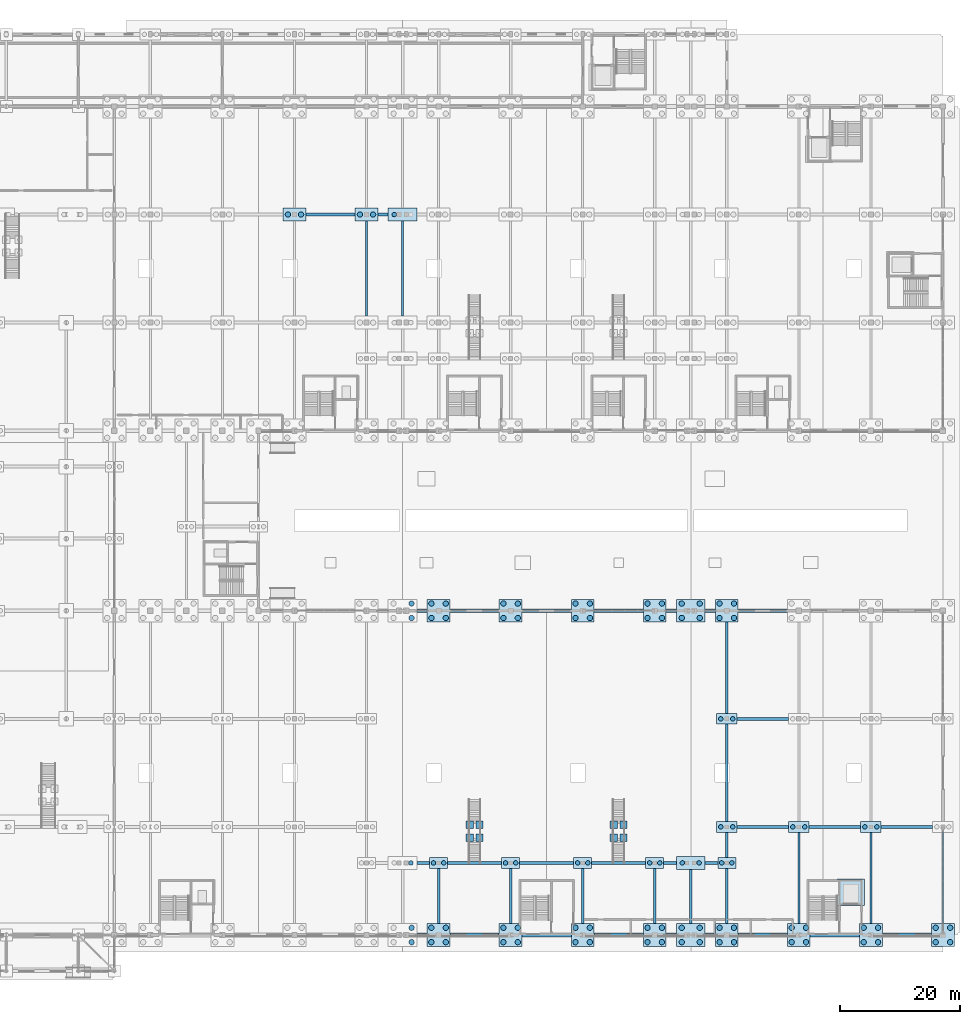
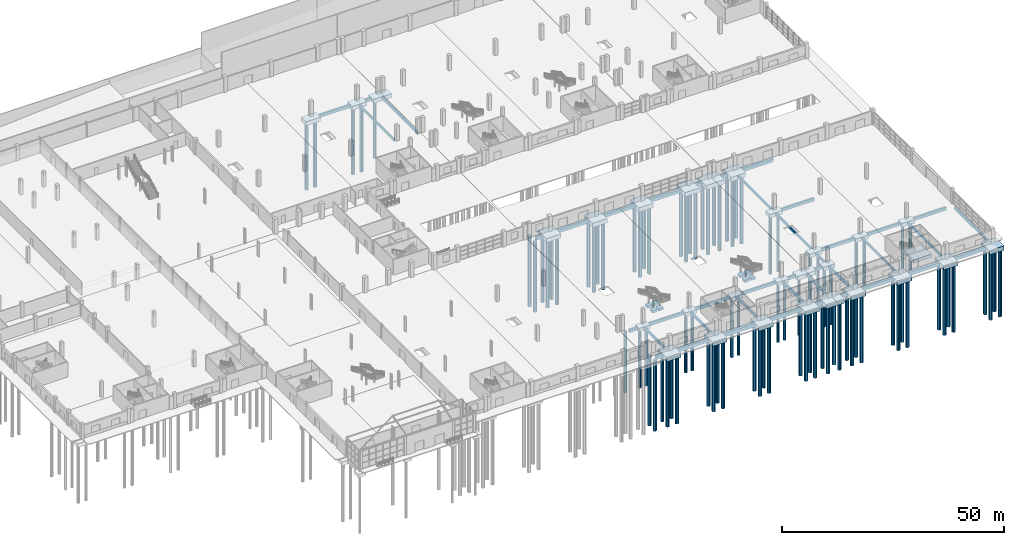
# One storey, part 5 of 77: 90 piles, 79 footings.
"""IFC4 building model written with IfcOpenShell, lengths in metres."""

import ifcopenshell
import ifcopenshell.guid

model = None  # the IFC model being written
_history = None  # IfcOwnerHistory: only IFC2X3 demands one
_inside = {}  # id of a spatial element -> (the spatial element, [elements in it])
_under = {}  # id of a project, library or spatial element -> (it, [spatial elements below it])
_declared = {}  # id of a project -> (the project, [libraries it declares])
_typed = {}  # id of a type object -> (the type object, [elements of that type])
_made_of = {}  # id of a material, layer set ... -> (it, [elements and type objects made of it])


def new_model(schema):
    """Start an empty IFC model of exactly this schema.

    Asked for "IFC4X3", IfcOpenShell would pick the latest addendum, in which some entities
    have other attributes; the version numbers below select the first issue.
    IFC2X3 requires an IfcOwnerHistory on every rooted entity: one is made here for all.
    """
    global model, _history
    if schema == "IFC4X3":
        model = ifcopenshell.file(schema_version=(4, 3, 0, 0))
    else:
        model = ifcopenshell.file(schema=schema)
    _inside.clear()
    _under.clear()
    _declared.clear()
    _typed.clear()
    _made_of.clear()
    _history = None
    if model.schema == "IFC2X3":
        org = make("IfcOrganization", Name="unknown")
        user = make(
            "IfcPersonAndOrganization",
            ThePerson=make("IfcPerson", FamilyName="unknown"),
            TheOrganization=org,
        )
        app = make(
            "IfcApplication",
            ApplicationDeveloper=org,
            Version="unknown",
            ApplicationFullName="unknown",
            ApplicationIdentifier="unknown",
        )
        _history = make(
            "IfcOwnerHistory",
            OwningUser=user,
            OwningApplication=app,
            ChangeAction="ADDED",
            CreationDate=0,
        )
    return model


def make(cls, **values):
    """One entity of the class cls with the attributes given. An attribute that is None is left unset."""
    return model.create_entity(
        cls, **{name: value for name, value in values.items() if value is not None}
    )


def rooted(cls, **values):
    """An entity with a GlobalId (a new one), such as an element, a storey or a relation."""
    return make(cls, GlobalId=ifcopenshell.guid.new(), OwnerHistory=_history, **values)


def si_unit(unit_type, name, prefix=None):
    """IfcSIUnit, for example si_unit("LENGTHUNIT", "METRE", prefix="MILLI")."""
    return make("IfcSIUnit", UnitType=unit_type, Prefix=prefix, Name=name)


def assignment(units):
    """IfcUnitAssignment: the units of a project."""
    return None if units is None else make("IfcUnitAssignment", Units=units)


def point(xyz):
    """IfcCartesianPoint."""
    return None if xyz is None else make("IfcCartesianPoint", Coordinates=xyz)


def direction(xyz):
    """IfcDirection."""
    return None if xyz is None else make("IfcDirection", DirectionRatios=xyz)


def frame(location, z_axis=None, x_axis=None):
    """IfcAxis2Placement3D, a coordinate frame: its origin and axes. An axis left out is left unset."""
    return make(
        "IfcAxis2Placement3D",
        Location=point(location),
        Axis=direction(z_axis),
        RefDirection=direction(x_axis),
    )


def frame_2d(location, x_axis=None):
    """IfcAxis2Placement2D, a coordinate frame in the plane: its origin and x axis."""
    return make(
        "IfcAxis2Placement2D", Location=point(location), RefDirection=direction(x_axis)
    )


def origin():
    """The frame at (0, 0, 0) with its axes left unset."""
    return frame((0.0, 0.0, 0.0))


def origin_2d():
    """The frame at (0, 0) in the plane with its x axis left unset."""
    return frame_2d((0.0, 0.0))


def place(relative_to, where):
    """IfcLocalPlacement: puts the frame where relative to a parent placement (None: the world)."""
    return make(
        "IfcLocalPlacement", PlacementRelTo=relative_to, RelativePlacement=where
    )


def context(
    kind, dimensions, precision=None, world=None, true_north=None, identifier=None
):
    """IfcGeometricRepresentationContext, for example the 3D "Model" context."""
    return make(
        "IfcGeometricRepresentationContext",
        ContextIdentifier=identifier,
        ContextType=kind,
        CoordinateSpaceDimension=dimensions,
        Precision=precision,
        WorldCoordinateSystem=world,
        TrueNorth=true_north,
    )


def subcontext(parent, identifier, kind, view, scale=None):
    """IfcGeometricRepresentationSubContext, for example "Body" below "Model"."""
    return make(
        "IfcGeometricRepresentationSubContext",
        ContextIdentifier=identifier,
        ContextType=kind,
        ParentContext=parent,
        TargetScale=scale,
        TargetView=view,
    )


def project(units=None, contexts=None):
    """IfcProject with its units and contexts."""
    return rooted(
        "IfcProject",
        Name="project",
        RepresentationContexts=contexts,
        UnitsInContext=assignment(units),
    )


def spatial(cls, under=None, at=None, **own):
    """A site, building, storey or space (cls), placed at a placement, below another one or the project."""
    s = rooted(cls, ObjectPlacement=at, **own)
    if under is not None:
        _under.setdefault(under.id(), (under, []))[1].append(s)
    return s


def profile(cls, at=None, kind="AREA", **sizes):
    """A parametric profile (cls). Its sizes go by their IFC names, for example OverallWidth=200.0."""
    return make(cls, ProfileType=kind, Position=at, **sizes)


def rectangle(**sizes):
    """IfcRectangleProfileDef."""
    return profile("IfcRectangleProfileDef", **sizes)


def circle(**sizes):
    """IfcCircleProfileDef."""
    return profile("IfcCircleProfileDef", **sizes)


def extrude(swept, where, along, depth):
    """IfcExtrudedAreaSolid: the profile swept, set in the frame where, extruded along a direction by depth."""
    return make(
        "IfcExtrudedAreaSolid",
        SweptArea=swept,
        Position=where,
        ExtrudedDirection=direction(along),
        Depth=depth,
    )


def shape(context_of_items, identifier, shape_type, items):
    """IfcShapeRepresentation: the items that make up one representation, for example the "Body"."""
    return make(
        "IfcShapeRepresentation",
        ContextOfItems=context_of_items,
        RepresentationIdentifier=identifier,
        RepresentationType=shape_type,
        Items=items,
    )


def material(Name=None, Category=None):
    """IfcMaterial."""
    return make("IfcMaterial", Name=Name, Category=Category)


def material_profile(
    of_material, cross_section, Name=None, Category=None, Priority=None
):
    """IfcMaterialProfile: a cross section and its material."""
    return make(
        "IfcMaterialProfile",
        Name=Name,
        Material=of_material,
        Profile=cross_section,
        Priority=Priority,
        Category=Category,
    )


def profile_set(profiles, Name=None, composite=None):
    """IfcMaterialProfileSet."""
    return make(
        "IfcMaterialProfileSet",
        Name=Name,
        MaterialProfiles=profiles,
        CompositeProfile=composite,
    )


def made_of(thing, what):
    """Note that an element or type object is made of a material, layer set ...; save() writes the relation."""
    if what is not None:
        _made_of.setdefault(what.id(), (what, []))[1].append(thing)
    return thing


def type_object(cls, material=None, **own):
    """A type object (cls), such as IfcWallType, which elements share."""
    return made_of(rooted(cls, **own), material)


def element(
    cls,
    number,
    at=None,
    inside=None,
    cuts=None,
    type_object=None,
    material=None,
    context=None,
    identifier="Body",
    shape_type=None,
    held_by="IfcProductDefinitionShape",
    body=None,
    shapes=None,
    **own,
):
    """One element of the class cls, such as IfcWall. Its Tag is "e" and its number.

    at: its placement. inside: the storey or other place that contains it. cuts: it is an
    opening in that element (IfcRelVoidsElement). A single representation is given by context,
    identifier, shape_type and body (its items); several are given by shapes. held_by: the class
    of the entity that holds the representations. save() writes the other relations.
    """
    e = rooted(cls, Tag="e%d" % number, ObjectPlacement=at, **own)
    if body is not None:
        shapes = [shape(context, identifier, shape_type, body)]
    if shapes is not None:
        e.Representation = make(held_by, Representations=shapes)
    if inside is not None:
        _inside.setdefault(inside.id(), (inside, []))[1].append(e)
    if cuts is not None:
        rooted(
            "IfcRelVoidsElement", RelatingBuildingElement=cuts, RelatedOpeningElement=e
        )
    if type_object is not None:
        _typed.setdefault(type_object.id(), (type_object, []))[1].append(e)
    return made_of(e, material)


def aggregate(whole, parts):
    """IfcRelAggregates: a whole, such as a stair, and the parts it consists of."""
    return rooted("IfcRelAggregates", RelatingObject=whole, RelatedObjects=parts)


def save(model, path):
    """Write the relations noted so far, then the file.

    IfcRelAggregates (storeys below a building ...), IfcRelContainedInSpatialStructure (elements
    in a storey), IfcRelDefinesByType, IfcRelAssociatesMaterial and IfcRelDeclares: one each for
    every whole, place, type object, material and project.
    """
    for whole, parts in _under.values():
        aggregate(whole, parts)
    for where, things in _inside.values():
        rooted(
            "IfcRelContainedInSpatialStructure",
            RelatedElements=things,
            RelatingStructure=where,
        )
    for kind, things in _typed.values():
        rooted("IfcRelDefinesByType", RelatedObjects=things, RelatingType=kind)
    for what, things in _made_of.values():
        rooted("IfcRelAssociatesMaterial", RelatedObjects=things, RelatingMaterial=what)
    for by, libraries in _declared.values():
        rooted("IfcRelDeclares", RelatingContext=by, RelatedDefinitions=libraries)
    model.write(path)


model = new_model("IFC4")

# Units and contexts
model_context = context("Model", 3, precision=1e-05, world=origin(), true_north=direction((0.0, 1.0)))
body_context = subcontext(model_context, "Body", "Model", "MODEL_VIEW")
ifc_project = project(units=[si_unit("LENGTHUNIT", "METRE"), si_unit("AREAUNIT", "SQUARE_METRE"), si_unit("VOLUMEUNIT", "CUBIC_METRE"), si_unit("PLANEANGLEUNIT", "RADIAN"), si_unit("MASSUNIT", "GRAM", prefix="KILO")], contexts=[model_context])

# Site, building, storey
site_placement = place(None, origin())
site = spatial("IfcSite", under=ifc_project, at=site_placement, CompositionType="ELEMENT")
building_placement = place(site_placement, origin())
building = spatial("IfcBuilding", under=site, at=building_placement, Name="Zilviju Railside Exhibition Hall", CompositionType="ELEMENT")
storey_placement = place(building_placement, origin())
storey = spatial("IfcBuildingStorey", under=building, at=storey_placement, Name="L01", CompositionType="ELEMENT", Elevation=0.0)

# Footings
ifc_material_1 = material(Name="Concrete C35/45", Category="concrete")
footing_type_1 = type_object("IfcFootingType", Name="CAP-PC-01", PredefinedType="PILE_CAP", material=ifc_material_1)
for number, where, z_axis, x_axis, name in (
    (1, (132.0, 0.0, -1.60009765625), (0.0, 0.0, 1.0), (1.0, 0.0, 0.0), "Pile Cap FND-CAP-014"),
    (2, (144.0, 0.0, -1.60009765625), (0.0, 0.0, 1.0), (1.0, 0.0, 0.0), "Pile Cap FND-CAP-015"),
    (3, (156.0, 0.0, -1.60009765625), (0.0, 0.0, 1.0), (1.0, 0.0, 0.0), "Pile Cap FND-CAP-016"),
    (4, (168.0, 0.0, -1.60009765625), (0.0, 0.0, 1.0), (1.0, 0.0, 0.0), "Pile Cap FND-CAP-017"),
    (5, (180.0, 0.0, -1.60009765625), (0.0, 0.0, 1.0), (1.0, 0.0, 0.0), "Pile Cap FND-CAP-019"),
    (6, (192.0, 0.0, -1.60009765625), (0.0, 0.0, 1.0), (1.0, 0.0, 0.0), "Pile Cap FND-CAP-020"),
    (7, (204.0, 0.0, -1.60009765625), (0.0, 0.0, 1.0), (1.0, 0.0, 0.0), "Pile Cap FND-CAP-021"),
    (8, (216.0, 0.0, -1.60009765625), (0.0, 0.0, 1.0), (1.0, 0.0, 0.0), "Pile Cap FND-CAP-022"),
    (9, (132.0, 54.0, -1.60009765625), (0.0, 0.0, 1.0), (1.0, 0.0, 0.0), "Pile Cap FND-CAP-078"),
    (10, (144.0, 54.0, -1.60009765625), (0.0, 0.0, 1.0), (1.0, 0.0, 0.0), "Pile Cap FND-CAP-079"),
    (11, (156.0, 54.0, -1.60009765625), (0.0, 0.0, 1.0), (1.0, 0.0, 0.0), "Pile Cap FND-CAP-080"),
    (12, (168.0, 54.0, -1.60009765625), (0.0, 0.0, 1.0), (1.0, 0.0, 0.0), "Pile Cap FND-CAP-081"),
    (13, (180.0, 54.0, -1.60009765625), (0.0, 0.0, 1.0), (1.0, 0.0, 0.0), "Pile Cap FND-CAP-083"),
):
    element("IfcFooting", number, at=place(storey_placement, frame(where, z_axis=z_axis, x_axis=x_axis)), inside=storey, type_object=footing_type_1, Name=name, PredefinedType="PILE_CAP", context=body_context, shape_type="SweptSolid", body=[
        extrude(rectangle(XDim=3.800048828125, YDim=3.800048828125, at=origin_2d()), origin(), (0.0, 0.0, 1.0), 1.199951171875),
    ])
footing_type_2 = type_object("IfcFootingType", Name="CAP-PC-02", PredefinedType="PILE_CAP", material=ifc_material_1)
for number, where, z_axis, x_axis, name in (
    (14, (108.0, 120.0, -1.550048828125), (0.0, 0.0, 1.0), (1.0, 0.0, 0.0), "Pile Cap FND-CAP-175"),
    (15, (120.0, 120.0, -1.550048828125), (0.0, 0.0, 1.0), (1.0, 0.0, 0.0), "Pile Cap FND-CAP-176"),
):
    element("IfcFooting", number, at=place(storey_placement, frame(where, z_axis=z_axis, x_axis=x_axis)), inside=storey, type_object=footing_type_2, Name=name, PredefinedType="PILE_CAP", context=body_context, shape_type="SweptSolid", body=[
        extrude(rectangle(XDim=3.800048828125, YDim=2.199951171875, at=origin_2d()), origin(), (0.0, 0.0, 1.0), 1.14990234375),
    ])
footing_type_3 = type_object("IfcFootingType", Name="CAP-PC-03", PredefinedType="PILE_CAP", material=ifc_material_1)
for number, where, z_axis, x_axis, name in (
    (16, (180.0, 18.0, -1.4501953125), (0.0, 0.0, 1.0), (1.0, 0.0, 0.0), "Pile Cap FND-CAP-039"),
    (17, (192.0, 18.0, -1.4501953125), (0.0, 0.0, 1.0), (1.0, 0.0, 0.0), "Pile Cap FND-CAP-040"),
    (18, (204.0, 18.0, -1.4501953125), (0.0, 0.0, 1.0), (1.0, 0.0, 0.0), "Pile Cap FND-CAP-041"),
    (19, (180.0, 36.0, -1.4501953125), (0.0, 0.0, 1.0), (1.0, 0.0, 0.0), "Pile Cap FND-CAP-055"),
):
    element("IfcFooting", number, at=place(storey_placement, frame(where, z_axis=z_axis, x_axis=x_axis)), inside=storey, type_object=footing_type_3, Name=name, PredefinedType="PILE_CAP", context=body_context, shape_type="SweptSolid", body=[
        extrude(rectangle(XDim=3.39990234375, YDim=1.800048828125, at=origin_2d()), origin(), (0.0, 0.0, 1.0), 1.050048828125),
    ])
footing_type_4 = type_object("IfcFootingType", Name="CAP-PC-04", PredefinedType="PILE_CAP", material=ifc_material_1)
for number, where, z_axis, x_axis, name in (
    (20, (132.0, 12.0, -1.39990234375), (0.0, 0.0, 1.0), (1.0, 0.0, 0.0), "Pile Cap FND-CAP-025"),
    (21, (144.0, 12.0, -1.39990234375), (0.0, 0.0, 1.0), (1.0, 0.0, 0.0), "Pile Cap FND-CAP-026"),
    (22, (156.0, 12.0, -1.39990234375), (0.0, 0.0, 1.0), (1.0, 0.0, 0.0), "Pile Cap FND-CAP-027"),
    (23, (168.0, 12.0, -1.39990234375), (0.0, 0.0, 1.0), (1.0, 0.0, 0.0), "Pile Cap FND-CAP-028"),
    (24, (180.0, 12.0, -1.39990234375), (0.0, 0.0, 1.0), (1.0, 0.0, 0.0), "Pile Cap FND-CAP-030"),
):
    element("IfcFooting", number, at=place(storey_placement, frame(where, z_axis=z_axis, x_axis=x_axis)), inside=storey, type_object=footing_type_4, Name=name, PredefinedType="PILE_CAP", context=body_context, shape_type="SweptSolid", body=[
        extrude(rectangle(XDim=3.0, YDim=1.800048828125, at=origin_2d()), origin(), (0.0, 0.0, 1.0), 1.0),
    ])
footing_type_5 = type_object("IfcFootingType", Name="CAP-PC-06", PredefinedType="PILE_CAP", material=ifc_material_1)
for number, where, z_axis, x_axis, name in (
    (25, (174.0, 0.0, -1.60009765625), (0.0, 0.0, 1.0), (1.0, 0.0, 0.0), "Combined Pile Cap FND-CAP-018"),
    (26, (174.0, 54.0, -1.60009765625), (0.0, 0.0, 1.0), (1.0, 0.0, 0.0), "Combined Pile Cap FND-CAP-082"),
):
    element("IfcFooting", number, at=place(storey_placement, frame(where, z_axis=z_axis, x_axis=x_axis)), inside=storey, type_object=footing_type_5, Name=name, PredefinedType="PILE_CAP", context=body_context, shape_type="SweptSolid", body=[
        extrude(rectangle(XDim=4.800048828125, YDim=3.800048828125, at=origin_2d()), origin(), (0.0, 0.0, 1.0), 1.199951171875),
    ])
footing_type_6 = type_object("IfcFootingType", Name="CAP-PC-07", PredefinedType="PILE_CAP", material=ifc_material_1)
for number, where, z_axis, x_axis, name in (
    (27, (174.0, 12.0, -1.550048828125), (0.0, 0.0, 1.0), (1.0, 0.0, 0.0), "Combined Pile Cap FND-CAP-029"),
    (28, (126.0, 120.0, -1.550048828125), (0.0, 0.0, 1.0), (1.0, 0.0, 0.0), "Combined Pile Cap FND-CAP-177"),
):
    element("IfcFooting", number, at=place(storey_placement, frame(where, z_axis=z_axis, x_axis=x_axis)), inside=storey, type_object=footing_type_6, Name=name, PredefinedType="PILE_CAP", context=body_context, shape_type="SweptSolid", body=[
        extrude(rectangle(XDim=4.800048828125, YDim=2.199951171875, at=origin_2d()), origin(), (0.0, 0.0, 1.0), 1.14990234375),
    ])
ifc_material_profile_1 = material_profile(ifc_material_1, rectangle(XDim=0.60009765625, YDim=0.89990234375, at=origin_2d()), Name="TIE BEAM 600x900")
ifc_profile_set_1 = profile_set([ifc_material_profile_1], Name="Concrete C35/45")
footing_type_7 = type_object("IfcFootingType", Name="GB-GB-01", PredefinedType="FOOTING_BEAM", material=ifc_profile_set_1)
footing_1_placement = place(storey_placement, frame((128.39990234375, 0.0, -0.85009765625), z_axis=(1.0, 0.0, 0.0), x_axis=(0.0, 1.0, 0.0)))
element("IfcFooting", 29, at=footing_1_placement, inside=storey, type_object=footing_type_7, Name="Ground Tie Beam GB-0012", PredefinedType="FOOTING_BEAM", context=body_context, shape_type="SweptSolid", body=[
    extrude(rectangle(XDim=0.60009765625, YDim=0.89990234375, at=origin_2d()), origin(), (0.0, 0.0, 1.0), 1.7001953125),
])
for number, where, z_axis, x_axis, name in (
    (30, (133.89990234375, 0.0, -0.85009765625), (1.0, 0.0, 0.0), (0.0, 1.0, 0.0), "Ground Tie Beam GB-0013"),
    (31, (145.89990234375, 0.0, -0.85009765625), (1.0, 0.0, 0.0), (0.0, 1.0, 0.0), "Ground Tie Beam GB-0014"),
    (32, (157.89990234375, 0.0, -0.85009765625), (1.0, 0.0, 0.0), (0.0, 1.0, 0.0), "Ground Tie Beam GB-0015"),
):
    element("IfcFooting", number, at=place(storey_placement, frame(where, z_axis=z_axis, x_axis=x_axis)), inside=storey, type_object=footing_type_7, Name=name, PredefinedType="FOOTING_BEAM", context=body_context, shape_type="SweptSolid", body=[
        extrude(rectangle(XDim=0.60009765625, YDim=0.89990234375, at=origin_2d()), origin(), (0.0, 0.0, 1.0), 8.2001953125),
    ])
for number, where, z_axis, x_axis, name in (
    (33, (169.89990234375, 0.0, -0.85009765625), (1.0, 0.0, 0.0), (0.0, 1.0, 0.0), "Ground Tie Beam GB-0016"),
    (34, (176.39990234375, 0.0, -0.85009765625), (1.0, 0.0, 0.0), (0.0, 1.0, 0.0), "Ground Tie Beam GB-0017"),
):
    element("IfcFooting", number, at=place(storey_placement, frame(where, z_axis=z_axis, x_axis=x_axis)), inside=storey, type_object=footing_type_7, Name=name, PredefinedType="FOOTING_BEAM", context=body_context, shape_type="SweptSolid", body=[
        extrude(rectangle(XDim=0.60009765625, YDim=0.89990234375, at=origin_2d()), origin(), (0.0, 0.0, 1.0), 1.7001953125),
    ])
for number, where, z_axis, x_axis, name in (
    (35, (181.89990234375, 0.0, -0.85009765625), (1.0, 0.0, 0.0), (0.0, 1.0, 0.0), "Ground Tie Beam GB-0018"),
    (36, (193.89990234375, 0.0, -0.85009765625), (1.0, 0.0, 0.0), (0.0, 1.0, 0.0), "Ground Tie Beam GB-0019"),
    (37, (205.89990234375, 0.0, -0.85009765625), (1.0, 0.0, 0.0), (0.0, 1.0, 0.0), "Ground Tie Beam GB-0020"),
):
    element("IfcFooting", number, at=place(storey_placement, frame(where, z_axis=z_axis, x_axis=x_axis)), inside=storey, type_object=footing_type_7, Name=name, PredefinedType="FOOTING_BEAM", context=body_context, shape_type="SweptSolid", body=[
        extrude(rectangle(XDim=0.60009765625, YDim=0.89990234375, at=origin_2d()), origin(), (0.0, 0.0, 1.0), 8.2001953125),
    ])
footing_2_placement = place(storey_placement, frame((128.39990234375, 54.0, -0.85009765625), z_axis=(1.0, 0.0, 0.0), x_axis=(0.0, 1.0, 0.0)))
element("IfcFooting", 38, at=footing_2_placement, inside=storey, type_object=footing_type_7, Name="Ground Tie Beam GB-0066", PredefinedType="FOOTING_BEAM", context=body_context, shape_type="SweptSolid", body=[
    extrude(rectangle(XDim=0.60009765625, YDim=0.89990234375, at=origin_2d()), origin(), (0.0, 0.0, 1.0), 1.7001953125),
])
for number, where, z_axis, x_axis, name in (
    (39, (133.89990234375, 54.0, -0.85009765625), (1.0, 0.0, 0.0), (0.0, 1.0, 0.0), "Ground Tie Beam GB-0067"),
    (40, (145.89990234375, 54.0, -0.85009765625), (1.0, 0.0, 0.0), (0.0, 1.0, 0.0), "Ground Tie Beam GB-0068"),
    (41, (157.89990234375, 54.0, -0.85009765625), (1.0, 0.0, 0.0), (0.0, 1.0, 0.0), "Ground Tie Beam GB-0069"),
):
    element("IfcFooting", number, at=place(storey_placement, frame(where, z_axis=z_axis, x_axis=x_axis)), inside=storey, type_object=footing_type_7, Name=name, PredefinedType="FOOTING_BEAM", context=body_context, shape_type="SweptSolid", body=[
        extrude(rectangle(XDim=0.60009765625, YDim=0.89990234375, at=origin_2d()), origin(), (0.0, 0.0, 1.0), 8.2001953125),
    ])
for number, where, z_axis, x_axis, name in (
    (42, (169.89990234375, 54.0, -0.85009765625), (1.0, 0.0, 0.0), (0.0, 1.0, 0.0), "Ground Tie Beam GB-0070"),
    (43, (176.39990234375, 54.0, -0.85009765625), (1.0, 0.0, 0.0), (0.0, 1.0, 0.0), "Ground Tie Beam GB-0071"),
):
    element("IfcFooting", number, at=place(storey_placement, frame(where, z_axis=z_axis, x_axis=x_axis)), inside=storey, type_object=footing_type_7, Name=name, PredefinedType="FOOTING_BEAM", context=body_context, shape_type="SweptSolid", body=[
        extrude(rectangle(XDim=0.60009765625, YDim=0.89990234375, at=origin_2d()), origin(), (0.0, 0.0, 1.0), 1.7001953125),
    ])
footing_3_placement = place(storey_placement, frame((181.89990234375, 54.0, -0.85009765625), z_axis=(1.0, 0.0, 0.0), x_axis=(0.0, 1.0, 0.0)))
element("IfcFooting", 44, at=footing_3_placement, inside=storey, type_object=footing_type_7, Name="Ground Tie Beam GB-0072", PredefinedType="FOOTING_BEAM", context=body_context, shape_type="SweptSolid", body=[
    extrude(rectangle(XDim=0.60009765625, YDim=0.89990234375, at=origin_2d()), origin(), (0.0, 0.0, 1.0), 8.2001953125),
])
ifc_material_profile_2 = material_profile(ifc_material_1, rectangle(XDim=0.5, YDim=0.85009765625, at=origin_2d()), Name="TIE BEAM 500x850")
ifc_profile_set_2 = profile_set([ifc_material_profile_2], Name="Concrete C35/45")
footing_type_8 = type_object("IfcFootingType", Name="GB-GB-02", PredefinedType="FOOTING_BEAM", material=ifc_profile_set_2)
footing_4_placement = place(storey_placement, frame((128.39990234375, 12.0, -0.824951171875), z_axis=(1.0, 0.0, 0.0), x_axis=(0.0, 1.0, 0.0)))
element("IfcFooting", 45, at=footing_4_placement, inside=storey, type_object=footing_type_8, Name="Ground Tie Beam GB-0022", PredefinedType="FOOTING_BEAM", context=body_context, shape_type="SweptSolid", body=[
    extrude(rectangle(XDim=0.5, YDim=0.85009765625, at=origin_2d()), origin(), (0.0, 0.0, 1.0), 2.10009765625),
])
for number, where, z_axis, x_axis, name in (
    (46, (133.5, 12.0, -0.824951171875), (1.0, 0.0, 0.0), (0.0, 1.0, 0.0), "Ground Tie Beam GB-0023"),
    (47, (145.5, 12.0, -0.824951171875), (1.0, 0.0, 0.0), (0.0, 1.0, 0.0), "Ground Tie Beam GB-0024"),
    (48, (157.5, 12.0, -0.824951171875), (1.0, 0.0, 0.0), (0.0, 1.0, 0.0), "Ground Tie Beam GB-0025"),
):
    element("IfcFooting", number, at=place(storey_placement, frame(where, z_axis=z_axis, x_axis=x_axis)), inside=storey, type_object=footing_type_8, Name=name, PredefinedType="FOOTING_BEAM", context=body_context, shape_type="SweptSolid", body=[
        extrude(rectangle(XDim=0.5, YDim=0.85009765625, at=origin_2d()), origin(), (0.0, 0.0, 1.0), 9.0),
    ])
for number, where, z_axis, x_axis, name in (
    (49, (169.5, 12.0, -0.824951171875), (1.0, 0.0, 0.0), (0.0, 1.0, 0.0), "Ground Tie Beam GB-0026"),
    (50, (176.39990234375, 12.0, -0.824951171875), (1.0, 0.0, 0.0), (0.0, 1.0, 0.0), "Ground Tie Beam GB-0027"),
):
    element("IfcFooting", number, at=place(storey_placement, frame(where, z_axis=z_axis, x_axis=x_axis)), inside=storey, type_object=footing_type_8, Name=name, PredefinedType="FOOTING_BEAM", context=body_context, shape_type="SweptSolid", body=[
        extrude(rectangle(XDim=0.5, YDim=0.85009765625, at=origin_2d()), origin(), (0.0, 0.0, 1.0), 2.10009765625),
    ])
for number, where, z_axis, x_axis, name in (
    (51, (181.699951171875, 18.0, -0.824951171875), (1.0, 0.0, 0.0), (0.0, 1.0, 0.0), "Ground Tie Beam GB-0035"),
    (52, (193.699951171875, 18.0, -0.824951171875), (1.0, 0.0, 0.0), (0.0, 1.0, 0.0), "Ground Tie Beam GB-0036"),
    (53, (205.699951171875, 18.0, -0.824951171875), (1.0, 0.0, 0.0), (0.0, 1.0, 0.0), "Ground Tie Beam GB-0037"),
    (54, (181.699951171875, 36.0, -0.824951171875), (1.0, 0.0, 0.0), (0.0, 1.0, 0.0), "Ground Tie Beam GB-0049"),
):
    element("IfcFooting", number, at=place(storey_placement, frame(where, z_axis=z_axis, x_axis=x_axis)), inside=storey, type_object=footing_type_8, Name=name, PredefinedType="FOOTING_BEAM", context=body_context, shape_type="SweptSolid", body=[
        extrude(rectangle(XDim=0.5, YDim=0.85009765625, at=origin_2d()), origin(), (0.0, 0.0, 1.0), 8.60009765625),
    ])
footing_5_placement = place(storey_placement, frame((109.89990234375, 120.0, -0.824951171875), z_axis=(1.0, 0.0, 0.0), x_axis=(0.0, 1.0, 0.0)))
element("IfcFooting", 55, at=footing_5_placement, inside=storey, type_object=footing_type_8, Name="Ground Tie Beam GB-0154", PredefinedType="FOOTING_BEAM", context=body_context, shape_type="SweptSolid", body=[
    extrude(rectangle(XDim=0.5, YDim=0.85009765625, at=origin_2d()), origin(), (0.0, 0.0, 1.0), 8.2001953125),
])
footing_6_placement = place(storey_placement, frame((121.89990234375, 120.0, -0.824951171875), z_axis=(1.0, 0.0, 0.0), x_axis=(0.0, 1.0, 0.0)))
element("IfcFooting", 56, at=footing_6_placement, inside=storey, type_object=footing_type_8, Name="Ground Tie Beam GB-0155", PredefinedType="FOOTING_BEAM", context=body_context, shape_type="SweptSolid", body=[
    extrude(rectangle(XDim=0.5, YDim=0.85009765625, at=origin_2d()), origin(), (0.0, 0.0, 1.0), 1.7001953125),
])
ifc_material_profile_3 = material_profile(ifc_material_1, rectangle(XDim=0.39990234375, YDim=0.75, at=origin_2d()), Name="TIE BEAM 400x750")
ifc_profile_set_3 = profile_set([ifc_material_profile_3], Name="Concrete C35/45")
footing_type_9 = type_object("IfcFootingType", Name="GB-GB-04", PredefinedType="FOOTING_BEAM", material=ifc_profile_set_3)
for number, where, z_axis, x_axis, name in (
    (57, (132.0, 1.89990234375, -0.77490234375), (0.0, 1.0, 0.0), (-1.0, 0.0, 0.0), "Ground Tie Beam GB-0332"),
    (58, (144.0, 1.89990234375, -0.77490234375), (0.0, 1.0, 0.0), (-1.0, 0.0, 0.0), "Ground Tie Beam GB-0338"),
    (59, (156.0, 1.89990234375, -0.77490234375), (0.0, 1.0, 0.0), (-1.0, 0.0, 0.0), "Ground Tie Beam GB-0344"),
    (60, (168.0, 1.89990234375, -0.77490234375), (0.0, 1.0, 0.0), (-1.0, 0.0, 0.0), "Ground Tie Beam GB-0350"),
):
    element("IfcFooting", number, at=place(storey_placement, frame(where, z_axis=z_axis, x_axis=x_axis)), inside=storey, type_object=footing_type_9, Name=name, PredefinedType="FOOTING_BEAM", context=body_context, shape_type="SweptSolid", body=[
        extrude(rectangle(XDim=0.39990234375, YDim=0.75, at=origin_2d()), origin(), (0.0, 0.0, 1.0), 9.2001953125),
    ])
footing_7_placement = place(storey_placement, frame((174.0, 1.89990234375, -0.77490234375), z_axis=(0.0, 1.0, 0.0), x_axis=(-1.0, 0.0, 0.0)))
element("IfcFooting", 61, at=footing_7_placement, inside=storey, type_object=footing_type_9, Name="Ground Tie Beam GB-0356", PredefinedType="FOOTING_BEAM", context=body_context, shape_type="SweptSolid", body=[
    extrude(rectangle(XDim=0.39990234375, YDim=0.75, at=origin_2d()), origin(), (0.0, 0.0, 1.0), 9.0),
])
footing_8_placement = place(storey_placement, frame((180.0, 1.89990234375, -0.77490234375), z_axis=(0.0, 1.0, 0.0), x_axis=(-1.0, 0.0, 0.0)))
element("IfcFooting", 62, at=footing_8_placement, inside=storey, type_object=footing_type_9, Name="Ground Tie Beam GB-0362", PredefinedType="FOOTING_BEAM", context=body_context, shape_type="SweptSolid", body=[
    extrude(rectangle(XDim=0.39990234375, YDim=0.75, at=origin_2d()), origin(), (0.0, 0.0, 1.0), 9.2001953125),
])
footing_9_placement = place(storey_placement, frame((180.0, 12.89990234375, -0.77490234375), z_axis=(0.0, 1.0, 0.0), x_axis=(-1.0, 0.0, 0.0)))
element("IfcFooting", 63, at=footing_9_placement, inside=storey, type_object=footing_type_9, Name="Ground Tie Beam GB-0363", PredefinedType="FOOTING_BEAM", context=body_context, shape_type="SweptSolid", body=[
    extrude(rectangle(XDim=0.39990234375, YDim=0.75, at=origin_2d()), origin(), (0.0, 0.0, 1.0), 4.2001953125),
])
ifc_material_profile_4 = material_profile(ifc_material_1, rectangle(XDim=0.35009765625, YDim=0.64990234375, at=origin_2d()), Name="TIE BEAM 350x650")
ifc_profile_set_4 = profile_set([ifc_material_profile_4], Name="Concrete C35/45")
footing_type_10 = type_object("IfcFootingType", Name="GB-GB-06", PredefinedType="FOOTING_BEAM", material=ifc_profile_set_4)
for number, where, z_axis, x_axis, name in (
    (64, (120.0, 103.10009765625, -0.72509765625), (0.0, 1.0, 0.0), (-1.0, 0.0, 0.0), "Ground Tie Beam GB-0323"),
    (65, (126.0, 103.10009765625, -0.72509765625), (0.0, 1.0, 0.0), (-1.0, 0.0, 0.0), "Ground Tie Beam GB-0329"),
):
    element("IfcFooting", number, at=place(storey_placement, frame(where, z_axis=z_axis, x_axis=x_axis)), inside=storey, type_object=footing_type_10, Name=name, PredefinedType="FOOTING_BEAM", context=body_context, shape_type="SweptSolid", body=[
        extrude(rectangle(XDim=0.35009765625, YDim=0.64990234375, at=origin_2d()), origin(), (0.0, 0.0, 1.0), 15.7998046875),
    ])
footing_10_placement = place(storey_placement, frame((180.0, 18.89990234375, -0.72509765625), z_axis=(0.0, 1.0, 0.0), x_axis=(-1.0, 0.0, 0.0)))
element("IfcFooting", 66, at=footing_10_placement, inside=storey, type_object=footing_type_10, Name="Ground Tie Beam GB-0364", PredefinedType="FOOTING_BEAM", context=body_context, shape_type="SweptSolid", body=[
    extrude(rectangle(XDim=0.35009765625, YDim=0.64990234375, at=origin_2d()), origin(), (0.0, 0.0, 1.0), 16.2001953125),
])
for number, where, z_axis, x_axis, name in (
    (67, (180.0, 36.89990234375, -0.72509765625), (0.0, 1.0, 0.0), (-1.0, 0.0, 0.0), "Ground Tie Beam GB-0365"),
    (68, (192.0, 1.89990234375, -0.72509765625), (0.0, 1.0, 0.0), (-1.0, 0.0, 0.0), "Ground Tie Beam GB-0371"),
    (69, (204.0, 1.89990234375, -0.72509765625), (0.0, 1.0, 0.0), (-1.0, 0.0, 0.0), "Ground Tie Beam GB-0377"),
    (70, (216.0, 1.89990234375, -0.72509765625), (0.0, 1.0, 0.0), (-1.0, 0.0, 0.0), "Ground Tie Beam GB-0383"),
):
    element("IfcFooting", number, at=place(storey_placement, frame(where, z_axis=z_axis, x_axis=x_axis)), inside=storey, type_object=footing_type_10, Name=name, PredefinedType="FOOTING_BEAM", context=body_context, shape_type="SweptSolid", body=[
        extrude(rectangle(XDim=0.35009765625, YDim=0.64990234375, at=origin_2d()), origin(), (0.0, 0.0, 1.0), 15.2001953125),
    ])
ifc_material_2 = material(Name="Concrete C40/50", Category="concrete")
footing_type_11 = type_object("IfcFootingType", Name="PAD-PF-02", PredefinedType="PAD_FOOTING", material=ifc_material_2)
footing_11_placement = place(storey_placement, frame((200.625, 7.125, -2.449951171875), z_axis=(0.0, 0.0, 1.0), x_axis=(1.0, 0.0, 0.0)))
element("IfcFooting", 71, at=footing_11_placement, inside=storey, type_object=footing_type_11, Name="Lift Pit Foundation Pad LF-01", PredefinedType="PAD_FOOTING", context=body_context, shape_type="SweptSolid", body=[
    extrude(rectangle(XDim=4.60009765625, YDim=4.39990234375, at=origin_2d()), origin(), (0.0, 0.0, 1.0), 0.85009765625),
])
footing_type_12 = type_object("IfcFootingType", Name="PAD-PF-11", PredefinedType="PAD_FOOTING", material=ifc_material_1)
for number, where, z_axis, x_axis, name in (
    (72, (137.179931640625, 16.2099609375, -1.1201171875), (0.0, 0.0, 1.0), (1.0, 0.0, 0.0), "Feature Stair ST20 Landing Pad 1"),
    (73, (138.820068359375, 16.2099609375, -1.1201171875), (0.0, 0.0, 1.0), (1.0, 0.0, 0.0), "Feature Stair ST20 Landing Pad 2"),
    (74, (137.179931640625, 18.35009765625, -1.1201171875), (0.0, 0.0, 1.0), (1.0, 0.0, 0.0), "Feature Stair ST20 Landing Pad 3"),
    (75, (138.820068359375, 18.35009765625, -1.1201171875), (0.0, 0.0, 1.0), (1.0, 0.0, 0.0), "Feature Stair ST20 Landing Pad 4"),
    (76, (161.179931640625, 16.2099609375, -1.1201171875), (0.0, 0.0, 1.0), (1.0, 0.0, 0.0), "Feature Stair ST21 Landing Pad 1"),
    (77, (162.820068359375, 16.2099609375, -1.1201171875), (0.0, 0.0, 1.0), (1.0, 0.0, 0.0), "Feature Stair ST21 Landing Pad 2"),
    (78, (161.179931640625, 18.35009765625, -1.1201171875), (0.0, 0.0, 1.0), (1.0, 0.0, 0.0), "Feature Stair ST21 Landing Pad 3"),
    (79, (162.820068359375, 18.35009765625, -1.1201171875), (0.0, 0.0, 1.0), (1.0, 0.0, 0.0), "Feature Stair ST21 Landing Pad 4"),
):
    element("IfcFooting", number, at=place(storey_placement, frame(where, z_axis=z_axis, x_axis=x_axis)), inside=storey, type_object=footing_type_12, Name=name, PredefinedType="PAD_FOOTING", context=body_context, shape_type="SweptSolid", body=[
        extrude(rectangle(XDim=1.199951171875, YDim=1.199951171875, at=origin_2d()), origin(), (0.0, 0.0, 1.0), 0.699951171875),
    ])

# Piles
ifc_material_profile_5 = material_profile(ifc_material_1, circle(Radius=0.375, at=origin_2d()), Name="CFA PILE D750")
ifc_profile_set_5 = profile_set([ifc_material_profile_5], Name="Concrete C35/45")
pile_type_1 = type_object("IfcPileType", Name="PILE-PL-750", PredefinedType="BORED", material=ifc_profile_set_5)
for number, where, z_axis, x_axis, name in (
    (80, (127.39990234375, 12.0, -0.5), (0.0, 0.0, -1.0), (1.0, 0.0, 0.0), "Bored CFA Pile P-0072"),
    (81, (131.14990234375, 12.0, -0.5), (0.0, 0.0, -1.0), (1.0, 0.0, 0.0), "Bored CFA Pile P-0073"),
    (82, (132.85009765625, 12.0, -0.5), (0.0, 0.0, -1.0), (1.0, 0.0, 0.0), "Bored CFA Pile P-0074"),
    (83, (143.14990234375, 12.0, -0.5), (0.0, 0.0, -1.0), (1.0, 0.0, 0.0), "Bored CFA Pile P-0075"),
    (84, (144.85009765625, 12.0, -0.5), (0.0, 0.0, -1.0), (1.0, 0.0, 0.0), "Bored CFA Pile P-0076"),
    (85, (155.14990234375, 12.0, -0.5), (0.0, 0.0, -1.0), (1.0, 0.0, 0.0), "Bored CFA Pile P-0077"),
    (86, (156.85009765625, 12.0, -0.5), (0.0, 0.0, -1.0), (1.0, 0.0, 0.0), "Bored CFA Pile P-0078"),
    (87, (167.14990234375, 12.0, -0.5), (0.0, 0.0, -1.0), (1.0, 0.0, 0.0), "Bored CFA Pile P-0079"),
    (88, (168.85009765625, 12.0, -0.5), (0.0, 0.0, -1.0), (1.0, 0.0, 0.0), "Bored CFA Pile P-0080"),
    (89, (172.60009765625, 12.0, -0.5), (0.0, 0.0, -1.0), (1.0, 0.0, 0.0), "Bored CFA Pile P-0081"),
    (90, (175.39990234375, 12.0, -0.5), (0.0, 0.0, -1.0), (1.0, 0.0, 0.0), "Bored CFA Pile P-0082"),
    (91, (179.14990234375, 12.0, -0.5), (0.0, 0.0, -1.0), (1.0, 0.0, 0.0), "Bored CFA Pile P-0083"),
    (92, (180.85009765625, 12.0, -0.5), (0.0, 0.0, -1.0), (1.0, 0.0, 0.0), "Bored CFA Pile P-0084"),
    (93, (179.0, 18.0, -0.5), (0.0, 0.0, -1.0), (1.0, 0.0, 0.0), "Bored CFA Pile P-0101"),
    (94, (181.0, 18.0, -0.5), (0.0, 0.0, -1.0), (1.0, 0.0, 0.0), "Bored CFA Pile P-0102"),
    (95, (191.0, 18.0, -0.5), (0.0, 0.0, -1.0), (1.0, 0.0, 0.0), "Bored CFA Pile P-0103"),
    (96, (193.0, 18.0, -0.5), (0.0, 0.0, -1.0), (1.0, 0.0, 0.0), "Bored CFA Pile P-0104"),
    (97, (203.0, 18.0, -0.5), (0.0, 0.0, -1.0), (1.0, 0.0, 0.0), "Bored CFA Pile P-0105"),
    (98, (205.0, 18.0, -0.5), (0.0, 0.0, -1.0), (1.0, 0.0, 0.0), "Bored CFA Pile P-0106"),
    (99, (179.0, 36.0, -0.5), (0.0, 0.0, -1.0), (1.0, 0.0, 0.0), "Bored CFA Pile P-0132"),
    (100, (181.0, 36.0, -0.5), (0.0, 0.0, -1.0), (1.0, 0.0, 0.0), "Bored CFA Pile P-0133"),
    (101, (124.60009765625, 120.0, -0.5), (0.0, 0.0, -1.0), (1.0, 0.0, 0.0), "Bored CFA Pile P-0439"),
):
    element("IfcPile", number, at=place(storey_placement, frame(where, z_axis=z_axis, x_axis=x_axis)), inside=storey, type_object=pile_type_1, Name=name, PredefinedType="BORED", context=body_context, shape_type="SweptSolid", body=[
        extrude(circle(Radius=0.375, at=origin_2d()), origin(), (0.0, 0.0, 1.0), 16.89990234375),
    ])
ifc_material_profile_6 = material_profile(ifc_material_1, circle(Radius=0.449951171875, at=origin_2d()), Name="CFA PILE D900")
ifc_profile_set_6 = profile_set([ifc_material_profile_6], Name="Concrete C35/45")
pile_type_2 = type_object("IfcPileType", Name="PILE-PL-900", PredefinedType="BORED", material=ifc_profile_set_6)
for number, where, z_axis, x_axis, name in (
    (102, (127.5, -1.199951171875, -0.5), (0.0, 0.0, -1.0), (1.0, 0.0, 0.0), "Bored CFA Pile P-0030"),
    (103, (127.5, 1.199951171875, -0.5), (0.0, 0.0, -1.0), (1.0, 0.0, 0.0), "Bored CFA Pile P-0032"),
    (104, (130.800048828125, -1.199951171875, -0.5), (0.0, 0.0, -1.0), (1.0, 0.0, 0.0), "Bored CFA Pile P-0033"),
    (105, (133.199951171875, -1.199951171875, -0.5), (0.0, 0.0, -1.0), (1.0, 0.0, 0.0), "Bored CFA Pile P-0034"),
    (106, (130.800048828125, 1.199951171875, -0.5), (0.0, 0.0, -1.0), (1.0, 0.0, 0.0), "Bored CFA Pile P-0035"),
    (107, (133.199951171875, 1.199951171875, -0.5), (0.0, 0.0, -1.0), (1.0, 0.0, 0.0), "Bored CFA Pile P-0036"),
    (108, (142.800048828125, -1.199951171875, -0.5), (0.0, 0.0, -1.0), (1.0, 0.0, 0.0), "Bored CFA Pile P-0037"),
    (109, (145.199951171875, -1.199951171875, -0.5), (0.0, 0.0, -1.0), (1.0, 0.0, 0.0), "Bored CFA Pile P-0038"),
    (110, (142.800048828125, 1.199951171875, -0.5), (0.0, 0.0, -1.0), (1.0, 0.0, 0.0), "Bored CFA Pile P-0039"),
    (111, (145.199951171875, 1.199951171875, -0.5), (0.0, 0.0, -1.0), (1.0, 0.0, 0.0), "Bored CFA Pile P-0040"),
    (112, (154.800048828125, -1.199951171875, -0.5), (0.0, 0.0, -1.0), (1.0, 0.0, 0.0), "Bored CFA Pile P-0041"),
    (113, (157.199951171875, -1.199951171875, -0.5), (0.0, 0.0, -1.0), (1.0, 0.0, 0.0), "Bored CFA Pile P-0042"),
    (114, (154.800048828125, 1.199951171875, -0.5), (0.0, 0.0, -1.0), (1.0, 0.0, 0.0), "Bored CFA Pile P-0043"),
    (115, (157.199951171875, 1.199951171875, -0.5), (0.0, 0.0, -1.0), (1.0, 0.0, 0.0), "Bored CFA Pile P-0044"),
    (116, (166.800048828125, -1.199951171875, -0.5), (0.0, 0.0, -1.0), (1.0, 0.0, 0.0), "Bored CFA Pile P-0045"),
    (117, (169.199951171875, -1.199951171875, -0.5), (0.0, 0.0, -1.0), (1.0, 0.0, 0.0), "Bored CFA Pile P-0046"),
    (118, (166.800048828125, 1.199951171875, -0.5), (0.0, 0.0, -1.0), (1.0, 0.0, 0.0), "Bored CFA Pile P-0047"),
    (119, (169.199951171875, 1.199951171875, -0.5), (0.0, 0.0, -1.0), (1.0, 0.0, 0.0), "Bored CFA Pile P-0048"),
    (120, (172.5, -1.199951171875, -0.5), (0.0, 0.0, -1.0), (1.0, 0.0, 0.0), "Bored CFA Pile P-0049"),
    (121, (175.5, -1.199951171875, -0.5), (0.0, 0.0, -1.0), (1.0, 0.0, 0.0), "Bored CFA Pile P-0050"),
    (122, (172.5, 1.199951171875, -0.5), (0.0, 0.0, -1.0), (1.0, 0.0, 0.0), "Bored CFA Pile P-0051"),
    (123, (175.5, 1.199951171875, -0.5), (0.0, 0.0, -1.0), (1.0, 0.0, 0.0), "Bored CFA Pile P-0052"),
    (124, (178.800048828125, -1.199951171875, -0.5), (0.0, 0.0, -1.0), (1.0, 0.0, 0.0), "Bored CFA Pile P-0053"),
    (125, (181.199951171875, -1.199951171875, -0.5), (0.0, 0.0, -1.0), (1.0, 0.0, 0.0), "Bored CFA Pile P-0054"),
    (126, (178.800048828125, 1.199951171875, -0.5), (0.0, 0.0, -1.0), (1.0, 0.0, 0.0), "Bored CFA Pile P-0055"),
    (127, (181.199951171875, 1.199951171875, -0.5), (0.0, 0.0, -1.0), (1.0, 0.0, 0.0), "Bored CFA Pile P-0056"),
    (128, (190.800048828125, -1.199951171875, -0.5), (0.0, 0.0, -1.0), (1.0, 0.0, 0.0), "Bored CFA Pile P-0057"),
    (129, (193.199951171875, -1.199951171875, -0.5), (0.0, 0.0, -1.0), (1.0, 0.0, 0.0), "Bored CFA Pile P-0058"),
    (130, (190.800048828125, 1.199951171875, -0.5), (0.0, 0.0, -1.0), (1.0, 0.0, 0.0), "Bored CFA Pile P-0059"),
    (131, (193.199951171875, 1.199951171875, -0.5), (0.0, 0.0, -1.0), (1.0, 0.0, 0.0), "Bored CFA Pile P-0060"),
    (132, (202.800048828125, -1.199951171875, -0.5), (0.0, 0.0, -1.0), (1.0, 0.0, 0.0), "Bored CFA Pile P-0061"),
    (133, (205.199951171875, -1.199951171875, -0.5), (0.0, 0.0, -1.0), (1.0, 0.0, 0.0), "Bored CFA Pile P-0062"),
    (134, (202.800048828125, 1.199951171875, -0.5), (0.0, 0.0, -1.0), (1.0, 0.0, 0.0), "Bored CFA Pile P-0063"),
    (135, (205.199951171875, 1.199951171875, -0.5), (0.0, 0.0, -1.0), (1.0, 0.0, 0.0), "Bored CFA Pile P-0064"),
    (136, (214.800048828125, -1.199951171875, -0.5), (0.0, 0.0, -1.0), (1.0, 0.0, 0.0), "Bored CFA Pile P-0065"),
    (137, (217.199951171875, -1.199951171875, -0.5), (0.0, 0.0, -1.0), (1.0, 0.0, 0.0), "Bored CFA Pile P-0066"),
    (138, (214.800048828125, 1.199951171875, -0.5), (0.0, 0.0, -1.0), (1.0, 0.0, 0.0), "Bored CFA Pile P-0067"),
    (139, (217.199951171875, 1.199951171875, -0.5), (0.0, 0.0, -1.0), (1.0, 0.0, 0.0), "Bored CFA Pile P-0068"),
    (140, (127.5, 52.800048828125, -0.5), (0.0, 0.0, -1.0), (1.0, 0.0, 0.0), "Bored CFA Pile P-0190"),
    (141, (127.5, 55.199951171875, -0.5), (0.0, 0.0, -1.0), (1.0, 0.0, 0.0), "Bored CFA Pile P-0192"),
    (142, (130.800048828125, 52.800048828125, -0.5), (0.0, 0.0, -1.0), (1.0, 0.0, 0.0), "Bored CFA Pile P-0193"),
    (143, (133.199951171875, 52.800048828125, -0.5), (0.0, 0.0, -1.0), (1.0, 0.0, 0.0), "Bored CFA Pile P-0194"),
    (144, (130.800048828125, 55.199951171875, -0.5), (0.0, 0.0, -1.0), (1.0, 0.0, 0.0), "Bored CFA Pile P-0195"),
    (145, (133.199951171875, 55.199951171875, -0.5), (0.0, 0.0, -1.0), (1.0, 0.0, 0.0), "Bored CFA Pile P-0196"),
    (146, (142.800048828125, 52.800048828125, -0.5), (0.0, 0.0, -1.0), (1.0, 0.0, 0.0), "Bored CFA Pile P-0197"),
    (147, (145.199951171875, 52.800048828125, -0.5), (0.0, 0.0, -1.0), (1.0, 0.0, 0.0), "Bored CFA Pile P-0198"),
    (148, (142.800048828125, 55.199951171875, -0.5), (0.0, 0.0, -1.0), (1.0, 0.0, 0.0), "Bored CFA Pile P-0199"),
    (149, (145.199951171875, 55.199951171875, -0.5), (0.0, 0.0, -1.0), (1.0, 0.0, 0.0), "Bored CFA Pile P-0200"),
    (150, (154.800048828125, 52.800048828125, -0.5), (0.0, 0.0, -1.0), (1.0, 0.0, 0.0), "Bored CFA Pile P-0201"),
    (151, (157.199951171875, 52.800048828125, -0.5), (0.0, 0.0, -1.0), (1.0, 0.0, 0.0), "Bored CFA Pile P-0202"),
    (152, (154.800048828125, 55.199951171875, -0.5), (0.0, 0.0, -1.0), (1.0, 0.0, 0.0), "Bored CFA Pile P-0203"),
    (153, (157.199951171875, 55.199951171875, -0.5), (0.0, 0.0, -1.0), (1.0, 0.0, 0.0), "Bored CFA Pile P-0204"),
    (154, (166.800048828125, 52.800048828125, -0.5), (0.0, 0.0, -1.0), (1.0, 0.0, 0.0), "Bored CFA Pile P-0205"),
    (155, (169.199951171875, 52.800048828125, -0.5), (0.0, 0.0, -1.0), (1.0, 0.0, 0.0), "Bored CFA Pile P-0206"),
    (156, (166.800048828125, 55.199951171875, -0.5), (0.0, 0.0, -1.0), (1.0, 0.0, 0.0), "Bored CFA Pile P-0207"),
    (157, (169.199951171875, 55.199951171875, -0.5), (0.0, 0.0, -1.0), (1.0, 0.0, 0.0), "Bored CFA Pile P-0208"),
    (158, (172.5, 52.800048828125, -0.5), (0.0, 0.0, -1.0), (1.0, 0.0, 0.0), "Bored CFA Pile P-0209"),
    (159, (175.5, 52.800048828125, -0.5), (0.0, 0.0, -1.0), (1.0, 0.0, 0.0), "Bored CFA Pile P-0210"),
    (160, (172.5, 55.199951171875, -0.5), (0.0, 0.0, -1.0), (1.0, 0.0, 0.0), "Bored CFA Pile P-0211"),
    (161, (175.5, 55.199951171875, -0.5), (0.0, 0.0, -1.0), (1.0, 0.0, 0.0), "Bored CFA Pile P-0212"),
    (162, (178.800048828125, 52.800048828125, -0.5), (0.0, 0.0, -1.0), (1.0, 0.0, 0.0), "Bored CFA Pile P-0213"),
    (163, (181.199951171875, 52.800048828125, -0.5), (0.0, 0.0, -1.0), (1.0, 0.0, 0.0), "Bored CFA Pile P-0214"),
    (164, (178.800048828125, 55.199951171875, -0.5), (0.0, 0.0, -1.0), (1.0, 0.0, 0.0), "Bored CFA Pile P-0215"),
    (165, (181.199951171875, 55.199951171875, -0.5), (0.0, 0.0, -1.0), (1.0, 0.0, 0.0), "Bored CFA Pile P-0216"),
    (166, (106.89990234375, 120.0, -0.5), (0.0, 0.0, -1.0), (1.0, 0.0, 0.0), "Bored CFA Pile P-0435"),
    (167, (109.10009765625, 120.0, -0.5), (0.0, 0.0, -1.0), (1.0, 0.0, 0.0), "Bored CFA Pile P-0436"),
    (168, (118.89990234375, 120.0, -0.5), (0.0, 0.0, -1.0), (1.0, 0.0, 0.0), "Bored CFA Pile P-0437"),
    (169, (121.10009765625, 120.0, -0.5), (0.0, 0.0, -1.0), (1.0, 0.0, 0.0), "Bored CFA Pile P-0438"),
):
    element("IfcPile", number, at=place(storey_placement, frame(where, z_axis=z_axis, x_axis=x_axis)), inside=storey, type_object=pile_type_2, Name=name, PredefinedType="BORED", context=body_context, shape_type="SweptSolid", body=[
        extrude(circle(Radius=0.449951171875, at=origin_2d()), origin(), (0.0, 0.0, 1.0), 19.39990234375),
    ])

save(model, "model.ifc")
